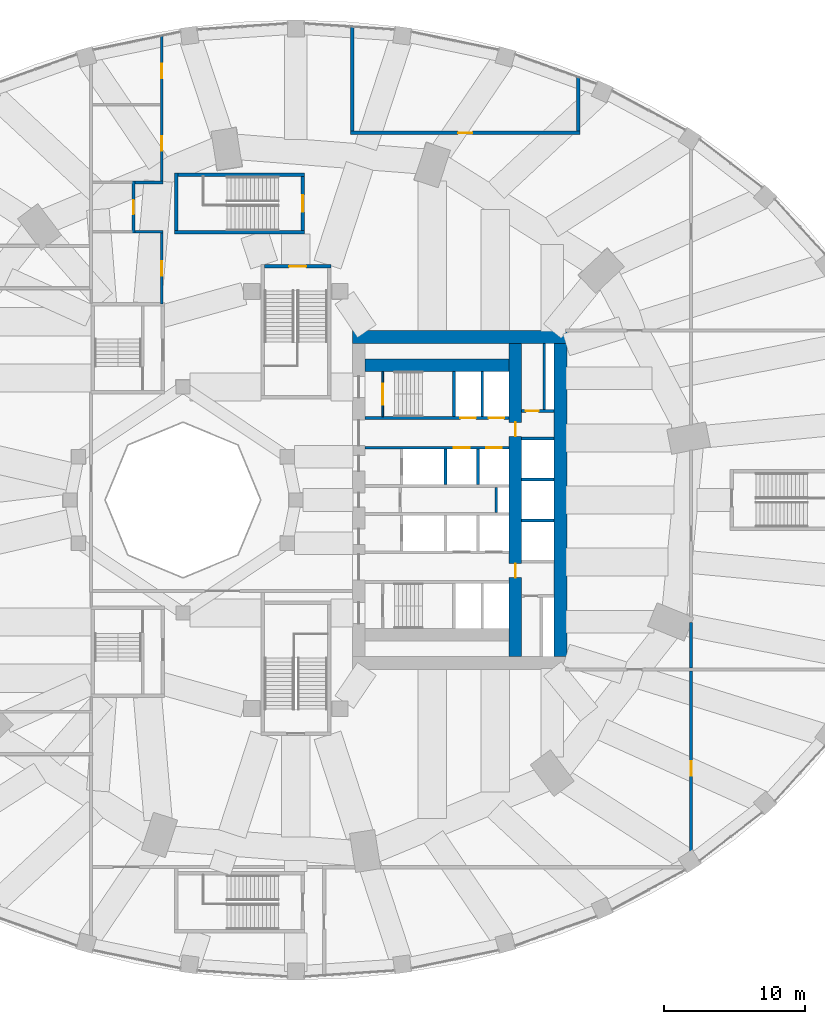
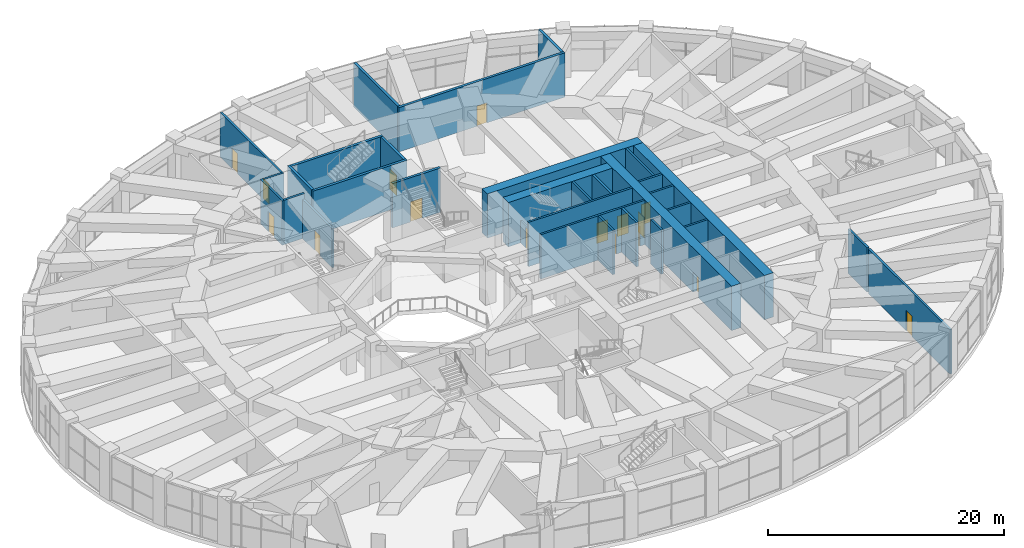
# One storey, part 24 of 32: 32 walls, 16 doors, 16 openings.
"""IFC4 building model written with IfcOpenShell, lengths in metres."""

from ifc_helpers import new_model, si_unit, direction, frame, frame_2d, origin, place, context, subcontext, project, spatial, rectangle, extrude, material, layer, layer_set, type_object, element, fill, save


model = new_model("IFC4")

# Units and contexts
model_context = context("Model", 3, precision=1e-05, world=origin(), true_north=direction((0.0, 1.0)))
body_context = subcontext(model_context, "Body", "Model", "MODEL_VIEW")
ifc_project = project(units=[si_unit("LENGTHUNIT", "METRE"), si_unit("AREAUNIT", "SQUARE_METRE"), si_unit("VOLUMEUNIT", "CUBIC_METRE"), si_unit("PLANEANGLEUNIT", "RADIAN"), si_unit("MASSUNIT", "GRAM", prefix="KILO")], contexts=[model_context])

# Site, building, storey
site_placement = place(None, origin())
site = spatial("IfcSite", under=ifc_project, at=site_placement, CompositionType="ELEMENT")
building_placement = place(site_placement, origin())
building = spatial("IfcBuilding", under=site, at=building_placement, Name="Taillehof Tower", CompositionType="ELEMENT")
storey_placement = place(building_placement, frame((0.0, 0.0, 7.5)))
storey = spatial("IfcBuildingStorey", under=building, at=storey_placement, Name="L01", CompositionType="ELEMENT", Elevation=7.5)

# Walls
ifc_material_1 = material(Name="Calcium silicate blockwork", Category="masonry")
ifc_layer_1 = layer(ifc_material_1, 0.199951171875)
ifc_layer_set_1 = layer_set([ifc_layer_1], Name="Compartment wall EI 60 200 mm")
wall_type_1 = type_object("IfcWallType", Name="Compartment wall EI 60 200 mm", PredefinedType="PARTITIONING", material=ifc_layer_set_1)
for number, where, z_axis, x_axis, name in (
    (1, (-11.39990234375, 19.0, 0.0), (0.0, 0.0, 1.0), (1.0, 0.0, 0.0), "Wall L01-06 / L01-27"),
    (2, (-11.39990234375, 22.5, 0.0), (0.0, 0.0, 1.0), (1.0, 0.0, 0.0), "Wall L01-08 / L01-27"),
):
    element("IfcWall", number, at=place(storey_placement, frame(where, z_axis=z_axis, x_axis=x_axis)), inside=storey, type_object=wall_type_1, Name=name, PredefinedType="PARTITIONING", context=body_context, shape_type="SweptSolid", body=[
        extrude(rectangle(XDim=2.0, YDim=0.199951171875, at=frame_2d((1.0, 0.0))), origin(), (0.0, 0.0, 1.0), 4.590087890625),
    ])

# Wall, opening, door
wall_1_placement = place(storey_placement, frame((-11.5, 18.89990234375, 0.0), z_axis=(0.0, 0.0, 1.0), x_axis=(0.0, 1.0, 0.0)))
wall_1 = element("IfcWall", 3, at=wall_1_placement, inside=storey, type_object=wall_type_1, Name="Wall L01-07 / L01-27", PredefinedType="PARTITIONING", context=body_context, shape_type="SweptSolid", body=[
    extrude(rectangle(XDim=3.7001953125, YDim=0.199951171875, at=frame_2d((1.85009765625, 0.0))), origin(), (0.0, 0.0, 1.0), 4.590087890625),
])
opening_1_placement = place(wall_1_placement, frame((1.35009765625, 0.0, 0.0)))
opening_1 = element("IfcOpeningElement", 4, at=opening_1_placement, cuts=wall_1, Name="Opening D0164", PredefinedType="OPENING", context=body_context, shape_type="SweptSolid", body=[
    extrude(rectangle(XDim=1.0, YDim=2.10009765625, at=frame_2d((0.5, 1.050048828125))), frame((0.0, 0.10986328125, 0.0), z_axis=(0.0, -1.0, 0.0), x_axis=(1.0, 0.0, 0.0)), (0.0, 0.0, 1.0), 0.219970703125),
])
ifc_material_2 = material(Name="Hollow metal door set")
door_type_1 = type_object("IfcDoorType", Name="Single door 1000 x 2100 FD60S", OperationType="SINGLE_SWING_LEFT", PredefinedType="DOOR", material=ifc_material_2)
door_1_placement = place(opening_1_placement, origin())
door_1 = element("IfcDoor", 5, at=door_1_placement, inside=storey, type_object=door_type_1, Name="Door D0164", OperationType="SINGLE_SWING_LEFT", OverallHeight=2.10009765625, OverallWidth=1.0, PredefinedType="DOOR", context=body_context, shape_type="SweptSolid", body=[
    extrude(rectangle(XDim=1.0, YDim=2.10009765625, at=frame_2d((0.5, 1.050048828125))), frame((0.0, 0.02490234375, 0.0), z_axis=(0.0, -1.0, 0.0), x_axis=(1.0, 0.0, 0.0)), (0.0, 0.0, 1.0), 0.050048828125),
])
fill(opening_1, door_1)

wall_2_placement = place(storey_placement, frame((-9.5, 13.89990234375, 0.0), z_axis=(0.0, 0.0, 1.0), x_axis=(0.0, 1.0, 0.0)))
wall_2 = element("IfcWall", 6, at=wall_2_placement, inside=storey, type_object=wall_type_1, Name="Wall L01-06 / L01-27", PredefinedType="PARTITIONING", context=body_context, shape_type="SweptSolid", body=[
    extrude(rectangle(XDim=5.0, YDim=0.199951171875, at=frame_2d((2.5, 0.0))), origin(), (0.0, 0.0, 1.0), 4.0400390625),
])
opening_2_placement = place(wall_2_placement, frame((2.0, 0.0, 0.0)))
opening_2 = element("IfcOpeningElement", 7, at=opening_2_placement, cuts=wall_2, Name="Opening D0159", PredefinedType="OPENING", context=body_context, shape_type="SweptSolid", body=[
    extrude(rectangle(XDim=1.0, YDim=2.10009765625, at=frame_2d((0.5, 1.050048828125))), frame((0.0, 0.10986328125, 0.0), z_axis=(0.0, -1.0, 0.0), x_axis=(1.0, 0.0, 0.0)), (0.0, 0.0, 1.0), 0.219970703125),
])
door_2_placement = place(opening_2_placement, origin())
door_2 = element("IfcDoor", 8, at=door_2_placement, inside=storey, type_object=door_type_1, Name="Door D0159", OperationType="SINGLE_SWING_RIGHT", OverallHeight=2.10009765625, OverallWidth=1.0, PredefinedType="DOOR", context=body_context, shape_type="SweptSolid", body=[
    extrude(rectangle(XDim=1.0, YDim=2.10009765625, at=frame_2d((0.5, 1.050048828125))), frame((0.0, 0.02490234375, 0.0), z_axis=(0.0, -1.0, 0.0), x_axis=(1.0, 0.0, 0.0)), (0.0, 0.0, 1.0), 0.050048828125),
])
fill(opening_2, door_2)

# Wall, openings, doors
wall_3_placement = place(storey_placement, frame((-9.5, 22.60009765625, 0.0), z_axis=(0.0, 0.0, 1.0), x_axis=(0.0, 1.0, 0.0)))
wall_3 = element("IfcWall", 9, at=wall_3_placement, inside=storey, type_object=wall_type_1, Name="Wall L01-08 / L01-27", PredefinedType="PARTITIONING", context=body_context, shape_type="SweptSolid", body=[
    extrude(rectangle(XDim=10.280517578125, YDim=0.199951171875, at=frame_2d((5.14013671875, 0.0))), origin(), (0.0, 0.0, 1.0), 4.590087890625),
])
opening_3_placement = place(wall_3_placement, frame((2.14990234375, 0.0, 0.0)))
opening_3 = element("IfcOpeningElement", 10, at=opening_3_placement, cuts=wall_3, Name="Opening D0166", PredefinedType="OPENING", context=body_context, shape_type="SweptSolid", body=[
    extrude(rectangle(XDim=1.0, YDim=2.10009765625, at=frame_2d((0.5, 1.050048828125))), frame((0.0, 0.10986328125, 0.0), z_axis=(0.0, -1.0, 0.0), x_axis=(1.0, 0.0, 0.0)), (0.0, 0.0, 1.0), 0.219970703125),
])
opening_4_placement = place(wall_3_placement, frame((7.2900390625, 0.0, 0.0)))
opening_4 = element("IfcOpeningElement", 11, at=opening_4_placement, cuts=wall_3, Name="Opening D0168", PredefinedType="OPENING", context=body_context, shape_type="SweptSolid", body=[
    extrude(rectangle(XDim=1.0, YDim=2.10009765625, at=frame_2d((0.5, 1.050048828125))), frame((0.0, 0.10986328125, 0.0), z_axis=(0.0, -1.0, 0.0), x_axis=(1.0, 0.0, 0.0)), (0.0, 0.0, 1.0), 0.219970703125),
])
door_3_placement = place(opening_3_placement, origin())
door_3 = element("IfcDoor", 12, at=door_3_placement, inside=storey, type_object=door_type_1, Name="Door D0166", OperationType="SINGLE_SWING_LEFT", OverallHeight=2.10009765625, OverallWidth=1.0, PredefinedType="DOOR", context=body_context, shape_type="SweptSolid", body=[
    extrude(rectangle(XDim=1.0, YDim=2.10009765625, at=frame_2d((0.5, 1.050048828125))), frame((0.0, 0.02490234375, 0.0), z_axis=(0.0, -1.0, 0.0), x_axis=(1.0, 0.0, 0.0)), (0.0, 0.0, 1.0), 0.050048828125),
])
fill(opening_3, door_3)
door_4_placement = place(opening_4_placement, origin())
door_4 = element("IfcDoor", 13, at=door_4_placement, inside=storey, type_object=door_type_1, Name="Door D0168", OperationType="SINGLE_SWING_LEFT", OverallHeight=2.10009765625, OverallWidth=1.0, PredefinedType="DOOR", context=body_context, shape_type="SweptSolid", body=[
    extrude(rectangle(XDim=1.0, YDim=2.10009765625, at=frame_2d((0.5, 1.050048828125))), frame((0.0, 0.02490234375, 0.0), z_axis=(0.0, -1.0, 0.0), x_axis=(1.0, 0.0, 0.0)), (0.0, 0.0, 1.0), 0.050048828125),
])
fill(opening_4, door_4)

# Wall, opening, door
wall_4_placement = place(storey_placement, frame((28.0, -25.931884765625, 0.0), z_axis=(0.0, 0.0, 1.0), x_axis=(0.0, 1.0, 0.0)))
wall_4 = element("IfcWall", 14, at=wall_4_placement, inside=storey, type_object=wall_type_1, Name="Wall L01-13 / L01-17", PredefinedType="PARTITIONING", context=body_context, shape_type="SweptSolid", body=[
    extrude(rectangle(XDim=13.831787109375, YDim=0.199951171875, at=frame_2d((6.916015625, 0.0))), origin(), (0.0, 0.0, 1.0), 4.590087890625),
])
opening_5_placement = place(wall_4_placement, frame((6.415771484375, 0.0, 0.0)))
opening_5 = element("IfcOpeningElement", 15, at=opening_5_placement, cuts=wall_4, Name="Opening D0144", PredefinedType="OPENING", context=body_context, shape_type="SweptSolid", body=[
    extrude(rectangle(XDim=1.0, YDim=2.10009765625, at=frame_2d((0.5, 1.050048828125))), frame((0.0, 0.10986328125, 0.0), z_axis=(0.0, -1.0, 0.0), x_axis=(1.0, 0.0, 0.0)), (0.0, 0.0, 1.0), 0.219970703125),
])
door_5_placement = place(opening_5_placement, origin())
door_5 = element("IfcDoor", 16, at=door_5_placement, inside=storey, type_object=door_type_1, Name="Door D0144", OperationType="SINGLE_SWING_RIGHT", OverallHeight=2.10009765625, OverallWidth=1.0, PredefinedType="DOOR", context=body_context, shape_type="SweptSolid", body=[
    extrude(rectangle(XDim=1.0, YDim=2.10009765625, at=frame_2d((0.5, 1.050048828125))), frame((0.0, 0.02490234375, 0.0), z_axis=(0.0, -1.0, 0.0), x_axis=(1.0, 0.0, 0.0)), (0.0, 0.0, 1.0), 0.050048828125),
])
fill(opening_5, door_5)

# Walls
wall_5_placement = place(storey_placement, frame((28.0, -11.89990234375, 0.0), z_axis=(0.0, 0.0, 1.0), x_axis=(0.0, 1.0, 0.0)))
element("IfcWall", 17, at=wall_5_placement, inside=storey, type_object=wall_type_1, Name="Wall L01-10 / L01-11", PredefinedType="PARTITIONING", context=body_context, shape_type="SweptSolid", body=[
    extrude(rectangle(XDim=3.222900390625, YDim=0.199951171875, at=frame_2d((1.611328125, 0.0))), origin(), (0.0, 0.0, 1.0), 4.590087890625),
])
ifc_material_3 = material(Name="Calcium silicate masonry", Category="masonry")
ifc_layer_2 = layer(ifc_material_3, 0.199951171875)
ifc_layer_set_2 = layer_set([ifc_layer_2], Name="Compartment wall calcium silicate 200")
wall_type_2 = type_object("IfcWallType", Name="Compartment wall calcium silicate 200", PredefinedType="PARTITIONING", material=ifc_layer_set_2)
wall_6_placement = place(storey_placement, frame((14.199951171875, -0.89990234375, 0.0), z_axis=(0.0, 0.0, 1.0), x_axis=(0.0, 1.0, 0.0)))
element("IfcWall", 18, at=wall_6_placement, inside=storey, type_object=wall_type_2, Name="Compartment wall FW", PredefinedType="PARTITIONING", context=body_context, shape_type="SweptSolid", body=[
    extrude(rectangle(XDim=1.7998046875, YDim=0.199951171875, at=frame_2d((0.89990234375, 0.0))), origin(), (0.0, 0.0, 1.0), 4.590087890625),
])

# Wall, opening, door
wall_7_placement = place(storey_placement, frame((16.0, 6.300048828125, 0.0), z_axis=(0.0, 0.0, 1.0), x_axis=(1.0, 0.0, 0.0)))
wall_7 = element("IfcWall", 19, at=wall_7_placement, inside=storey, type_object=wall_type_2, Name="Compartment wall FW", PredefinedType="PARTITIONING", context=body_context, shape_type="SweptSolid", body=[
    extrude(rectangle(XDim=2.300048828125, YDim=0.199951171875, at=frame_2d((1.14990234375, 0.0))), origin(), (0.0, 0.0, 1.0), 4.590087890625),
])
opening_6_placement = place(wall_7_placement, frame((0.300048828125, 0.0, 0.0)))
opening_6 = element("IfcOpeningElement", 20, at=opening_6_placement, cuts=wall_7, Name="Opening D0114", PredefinedType="OPENING", context=body_context, shape_type="SweptSolid", body=[
    extrude(rectangle(XDim=0.89990234375, YDim=2.10009765625, at=frame_2d((0.449951171875, 1.050048828125))), frame((0.0, 0.10986328125, 0.0), z_axis=(0.0, -1.0, 0.0), x_axis=(1.0, 0.0, 0.0)), (0.0, 0.0, 1.0), 0.219970703125),
])
ifc_material_4 = material(Name="Steel-faced fire door", Category="steel")
door_type_2 = type_object("IfcDoorType", Name="Riser and service room door 900x2100", OperationType="SINGLE_SWING_LEFT", PredefinedType="DOOR", material=ifc_material_4)
door_6_placement = place(opening_6_placement, origin())
door_6 = element("IfcDoor", 21, at=door_6_placement, inside=storey, type_object=door_type_2, Name="Door Battery Room", OperationType="SINGLE_SWING_RIGHT", OverallHeight=2.10009765625, OverallWidth=0.89990234375, PredefinedType="DOOR", context=body_context, shape_type="SweptSolid", body=[
    extrude(rectangle(XDim=0.89990234375, YDim=2.10009765625, at=frame_2d((0.449951171875, 1.050048828125))), frame((0.0, 0.02490234375, 0.0), z_axis=(0.0, -1.0, 0.0), x_axis=(1.0, 0.0, 0.0)), (0.0, 0.0, 1.0), 0.050048828125),
])
fill(opening_6, door_6)

# Walls
wall_8_placement = place(storey_placement, frame((17.60009765625, 6.39990234375, 0.0), z_axis=(0.0, 0.0, 1.0), x_axis=(0.0, 1.0, 0.0)))
element("IfcWall", 22, at=wall_8_placement, inside=storey, type_object=wall_type_2, Name="Compartment wall FW", PredefinedType="PARTITIONING", context=body_context, shape_type="SweptSolid", body=[
    extrude(rectangle(XDim=4.7001953125, YDim=0.199951171875, at=frame_2d((2.35009765625, 0.0))), origin(), (0.0, 0.0, 1.0), 4.590087890625),
])
ifc_material_5 = material(Name="Concrete C80/95", Category="concrete")
ifc_layer_3 = layer(ifc_material_5, 0.89990234375)
ifc_layer_set_3 = layer_set([ifc_layer_3], Name="Core wall C80/95 900")
wall_type_3 = type_object("IfcWallType", Name="Core wall C80/95 900", PredefinedType="SHEAR", material=ifc_layer_set_3)
wall_9_placement = place(storey_placement, frame((18.75, -11.10009765625, 0.0), z_axis=(0.0, 0.0, 1.0), x_axis=(0.0, 1.0, 0.0)))
element("IfcWall", 23, at=wall_9_placement, inside=storey, type_object=wall_type_3, Name="Core wall CW02", PredefinedType="SHEAR", context=body_context, shape_type="SweptSolid", body=[
    extrude(rectangle(XDim=22.2001953125, YDim=0.89990234375, at=frame_2d((11.10009765625, 0.0))), origin(), (0.0, 0.0, 1.0), 4.590087890625),
])
wall_10_placement = place(storey_placement, frame((4.0, 11.550048828125, 0.0), z_axis=(0.0, 0.0, 1.0), x_axis=(1.0, 0.0, 0.0)))
element("IfcWall", 24, at=wall_10_placement, inside=storey, type_object=wall_type_3, Name="Core wall CW03", PredefinedType="SHEAR", context=body_context, shape_type="SweptSolid", body=[
    extrude(rectangle(XDim=15.199951171875, YDim=0.89990234375, at=frame_2d((7.60009765625, 0.0))), origin(), (0.0, 0.0, 1.0), 4.590087890625),
])

# Wall, openings, doors
wall_11_placement = place(storey_placement, frame((15.550048828125, -11.10009765625, 0.0), z_axis=(0.0, 0.0, 1.0), x_axis=(0.0, 1.0, 0.0)))
wall_11 = element("IfcWall", 25, at=wall_11_placement, inside=storey, type_object=wall_type_3, Name="Core wall CW05", PredefinedType="SHEAR", context=body_context, shape_type="SweptSolid", body=[
    extrude(rectangle(XDim=22.2001953125, YDim=0.89990234375, at=frame_2d((11.10009765625, 0.0))), origin(), (0.0, 0.0, 1.0), 4.590087890625),
])
opening_7_placement = place(wall_11_placement, frame((15.60009765625, 0.0, 0.0)))
opening_7 = element("IfcOpeningElement", 26, at=opening_7_placement, cuts=wall_11, Name="Opening D0113", PredefinedType="OPENING", context=body_context, shape_type="SweptSolid", body=[
    extrude(rectangle(XDim=1.0, YDim=2.10009765625, at=frame_2d((0.5, 1.050048828125))), frame((0.0, 0.4599609375, 0.0), z_axis=(0.0, -1.0, 0.0), x_axis=(1.0, 0.0, 0.0)), (0.0, 0.0, 1.0), 0.919921875),
])
opening_8_placement = place(wall_11_placement, frame((5.60009765625, 0.0, 0.0)))
opening_8 = element("IfcOpeningElement", 27, at=opening_8_placement, cuts=wall_11, Name="Opening D0115", PredefinedType="OPENING", context=body_context, shape_type="SweptSolid", body=[
    extrude(rectangle(XDim=1.0, YDim=2.10009765625, at=frame_2d((0.5, 1.050048828125))), frame((0.0, 0.4599609375, 0.0), z_axis=(0.0, -1.0, 0.0), x_axis=(1.0, 0.0, 0.0)), (0.0, 0.0, 1.0), 0.919921875),
])
ifc_material_6 = material(Name="Steel-faced fire door", Category="steel")
door_type_3 = type_object("IfcDoorType", Name="Service door 1000x2100", OperationType="SINGLE_SWING_RIGHT", PredefinedType="DOOR", material=ifc_material_6)
door_7_placement = place(opening_7_placement, origin())
door_7 = element("IfcDoor", 28, at=door_7_placement, inside=storey, type_object=door_type_3, Name="Service door strip", OperationType="SINGLE_SWING_RIGHT", OverallHeight=2.10009765625, OverallWidth=1.0, PredefinedType="DOOR", context=body_context, shape_type="SweptSolid", body=[
    extrude(rectangle(XDim=1.0, YDim=2.10009765625, at=frame_2d((0.5, 1.050048828125))), frame((0.0, 0.02490234375, 0.0), z_axis=(0.0, -1.0, 0.0), x_axis=(1.0, 0.0, 0.0)), (0.0, 0.0, 1.0), 0.050048828125),
])
fill(opening_7, door_7)
door_8_placement = place(opening_8_placement, origin())
door_8 = element("IfcDoor", 29, at=door_8_placement, inside=storey, type_object=door_type_3, Name="Service door strip", OperationType="SINGLE_SWING_LEFT", OverallHeight=2.10009765625, OverallWidth=1.0, PredefinedType="DOOR", context=body_context, shape_type="SweptSolid", body=[
    extrude(rectangle(XDim=1.0, YDim=2.10009765625, at=frame_2d((0.5, 1.050048828125))), frame((0.0, 0.02490234375, 0.0), z_axis=(0.0, -1.0, 0.0), x_axis=(1.0, 0.0, 0.0)), (0.0, 0.0, 1.0), 0.050048828125),
])
fill(opening_8, door_8)

# Wall
wall_12_placement = place(storey_placement, frame((4.89990234375, 9.550048828125, 0.0), z_axis=(0.0, 0.0, 1.0), x_axis=(1.0, 0.0, 0.0)))
element("IfcWall", 30, at=wall_12_placement, inside=storey, type_object=wall_type_3, Name="Core wall CW06", PredefinedType="SHEAR", context=body_context, shape_type="SweptSolid", body=[
    extrude(rectangle(XDim=10.2001953125, YDim=0.89990234375, at=frame_2d((5.10009765625, 0.0))), origin(), (0.0, 0.0, 1.0), 4.590087890625),
])

# Wall, opening, door
ifc_material_7 = material(Name="Calcium silicate blockwork", Category="masonry")
ifc_layer_4 = layer(ifc_material_7, 0.25)
ifc_layer_set_4 = layer_set([ifc_layer_4], Name="Fire-resisting wall EI 120 250 mm")
wall_type_4 = type_object("IfcWallType", Name="Fire-resisting wall EI 120 250 mm", PredefinedType="PARTITIONING", material=ifc_layer_set_4)
wall_13_placement = place(storey_placement, frame((3.875, 26.0, 0.0), z_axis=(0.0, 0.0, 1.0), x_axis=(1.0, 0.0, 0.0)))
wall_13 = element("IfcWall", 31, at=wall_13_placement, inside=storey, type_object=wall_type_4, Name="Wall L01-14 / L01-27", PredefinedType="PARTITIONING", context=body_context, shape_type="SweptSolid", body=[
    extrude(rectangle(XDim=16.25, YDim=0.25, at=frame_2d((8.125, 0.0))), origin(), (0.0, 0.0, 1.0), 4.590087890625),
])
opening_9_placement = place(wall_13_placement, frame((7.625, 0.0, 0.0)))
opening_9 = element("IfcOpeningElement", 32, at=opening_9_placement, cuts=wall_13, Name="Opening D0167", PredefinedType="OPENING", context=body_context, shape_type="SweptSolid", body=[
    extrude(rectangle(XDim=1.0, YDim=2.10009765625, at=frame_2d((0.5, 1.050048828125))), frame((0.0, 0.135009765625, 0.0), z_axis=(0.0, -1.0, 0.0), x_axis=(1.0, 0.0, 0.0)), (0.0, 0.0, 1.0), 0.27001953125),
])
ifc_material_8 = material(Name="Hollow metal door set")
door_type_4 = type_object("IfcDoorType", Name="Single door 1000 x 2100 FD120S", OperationType="SINGLE_SWING_LEFT", PredefinedType="DOOR", material=ifc_material_8)
door_9_placement = place(opening_9_placement, origin())
door_9 = element("IfcDoor", 33, at=door_9_placement, inside=storey, type_object=door_type_4, Name="Door D0167", OperationType="SINGLE_SWING_LEFT", OverallHeight=2.10009765625, OverallWidth=1.0, PredefinedType="DOOR", context=body_context, shape_type="SweptSolid", body=[
    extrude(rectangle(XDim=1.0, YDim=2.10009765625, at=frame_2d((0.5, 1.050048828125))), frame((0.0, 0.02490234375, 0.0), z_axis=(0.0, -1.0, 0.0), x_axis=(1.0, 0.0, 0.0)), (0.0, 0.0, 1.0), 0.050048828125),
])
fill(opening_9, door_9)

# Walls
wall_14_placement = place(storey_placement, frame((4.0, 26.125, 0.0), z_axis=(0.0, 0.0, 1.0), x_axis=(0.0, 1.0, 0.0)))
element("IfcWall", 34, at=wall_14_placement, inside=storey, type_object=wall_type_4, Name="Wall L01-14 / L01-27", PredefinedType="PARTITIONING", context=body_context, shape_type="SweptSolid", body=[
    extrude(rectangle(XDim=7.442138671875, YDim=0.25, at=frame_2d((3.72119140625, 0.0))), origin(), (0.0, 0.0, 1.0), 4.590087890625),
])
wall_15_placement = place(storey_placement, frame((20.0, 26.125, 0.0), z_axis=(0.0, 0.0, 1.0), x_axis=(0.0, 1.0, 0.0)))
element("IfcWall", 35, at=wall_15_placement, inside=storey, type_object=wall_type_4, Name="Wall L01-14 / L01-27", PredefinedType="PARTITIONING", context=body_context, shape_type="SweptSolid", body=[
    extrude(rectangle(XDim=3.855712890625, YDim=0.25, at=frame_2d((1.927734375, 0.0))), origin(), (0.0, 0.0, 1.0), 4.590087890625),
])

# Wall, openings, doors
ifc_material_9 = material(Name="Concrete C50/60", Category="concrete")
ifc_layer_5 = layer(ifc_material_9, 0.199951171875)
ifc_layer_set_5 = layer_set([ifc_layer_5], Name="Shaft wall C50/60 200")
wall_type_5 = type_object("IfcWallType", Name="Shaft wall C50/60 200", PredefinedType="SHEAR", material=ifc_layer_set_5)
wall_16_placement = place(storey_placement, frame((4.89990234375, 5.800048828125, 0.0), z_axis=(0.0, 0.0, 1.0), x_axis=(1.0, 0.0, 0.0)))
wall_16 = element("IfcWall", 36, at=wall_16_placement, inside=storey, type_object=wall_type_5, Name="Shaft wall SW", PredefinedType="SHEAR", context=body_context, shape_type="SweptSolid", body=[
    extrude(rectangle(XDim=10.2001953125, YDim=0.199951171875, at=frame_2d((5.10009765625, 0.0))), origin(), (0.0, 0.0, 1.0), 4.590087890625),
])
opening_10_placement = place(wall_16_placement, frame((6.75, 0.0, 0.0)))
opening_10 = element("IfcOpeningElement", 37, at=opening_10_placement, cuts=wall_16, Name="Opening LD1", PredefinedType="OPENING", context=body_context, shape_type="SweptSolid", body=[
    extrude(rectangle(XDim=1.10009765625, YDim=2.10009765625, at=frame_2d((0.550048828125, 1.050048828125))), frame((0.0, 0.10986328125, 0.0), z_axis=(0.0, -1.0, 0.0), x_axis=(1.0, 0.0, 0.0)), (0.0, 0.0, 1.0), 0.219970703125),
])
opening_11_placement = place(wall_16_placement, frame((8.75, 0.0, 0.0)))
opening_11 = element("IfcOpeningElement", 38, at=opening_11_placement, cuts=wall_16, Name="Opening LD1", PredefinedType="OPENING", context=body_context, shape_type="SweptSolid", body=[
    extrude(rectangle(XDim=1.10009765625, YDim=2.10009765625, at=frame_2d((0.550048828125, 1.050048828125))), frame((0.0, 0.10986328125, 0.0), z_axis=(0.0, -1.0, 0.0), x_axis=(1.0, 0.0, 0.0)), (0.0, 0.0, 1.0), 0.219970703125),
])
ifc_material_10 = material(Name="Stainless steel", Category="steel")
door_type_5 = type_object("IfcDoorType", Name="Lift landing door LD1 1100x2100", OperationType="DOUBLE_DOOR_SLIDING", PredefinedType="DOOR", material=ifc_material_10)
door_10_placement = place(opening_10_placement, origin())
door_10 = element("IfcDoor", 39, at=door_10_placement, inside=storey, type_object=door_type_5, Name="Landing door LR1", OperationType="DOUBLE_DOOR_SLIDING", OverallHeight=2.10009765625, OverallWidth=1.10009765625, PredefinedType="DOOR", context=body_context, shape_type="SweptSolid", body=[
    extrude(rectangle(XDim=1.10009765625, YDim=2.10009765625, at=frame_2d((0.550048828125, 1.050048828125))), frame((0.0, 0.02490234375, 0.0), z_axis=(0.0, -1.0, 0.0), x_axis=(1.0, 0.0, 0.0)), (0.0, 0.0, 1.0), 0.050048828125),
])
fill(opening_10, door_10)
door_11_placement = place(opening_11_placement, origin())
door_11 = element("IfcDoor", 40, at=door_11_placement, inside=storey, type_object=door_type_5, Name="Landing door LR2", OperationType="DOUBLE_DOOR_SLIDING", OverallHeight=2.10009765625, OverallWidth=1.10009765625, PredefinedType="DOOR", context=body_context, shape_type="SweptSolid", body=[
    extrude(rectangle(XDim=1.10009765625, YDim=2.10009765625, at=frame_2d((0.550048828125, 1.050048828125))), frame((0.0, 0.02490234375, 0.0), z_axis=(0.0, -1.0, 0.0), x_axis=(1.0, 0.0, 0.0)), (0.0, 0.0, 1.0), 0.050048828125),
])
fill(opening_11, door_11)

wall_17_placement = place(storey_placement, frame((4.89990234375, 3.699951171875, 0.0), z_axis=(0.0, 0.0, 1.0), x_axis=(1.0, 0.0, 0.0)))
wall_17 = element("IfcWall", 41, at=wall_17_placement, inside=storey, type_object=wall_type_5, Name="Shaft wall SW", PredefinedType="SHEAR", context=body_context, shape_type="SweptSolid", body=[
    extrude(rectangle(XDim=10.2001953125, YDim=0.199951171875, at=frame_2d((5.10009765625, 0.0))), origin(), (0.0, 0.0, 1.0), 4.590087890625),
])
opening_12_placement = place(wall_17_placement, frame((6.300048828125, 0.0, 0.0)))
opening_12 = element("IfcOpeningElement", 42, at=opening_12_placement, cuts=wall_17, Name="Opening LD1", PredefinedType="OPENING", context=body_context, shape_type="SweptSolid", body=[
    extrude(rectangle(XDim=1.10009765625, YDim=2.10009765625, at=frame_2d((0.550048828125, 1.050048828125))), frame((0.0, 0.10986328125, 0.0), z_axis=(0.0, -1.0, 0.0), x_axis=(1.0, 0.0, 0.0)), (0.0, 0.0, 1.0), 0.219970703125),
])
opening_13_placement = place(wall_17_placement, frame((8.60009765625, 0.0, 0.0)))
opening_13 = element("IfcOpeningElement", 43, at=opening_13_placement, cuts=wall_17, Name="Opening LD1", PredefinedType="OPENING", context=body_context, shape_type="SweptSolid", body=[
    extrude(rectangle(XDim=1.10009765625, YDim=2.10009765625, at=frame_2d((0.550048828125, 1.050048828125))), frame((0.0, 0.10986328125, 0.0), z_axis=(0.0, -1.0, 0.0), x_axis=(1.0, 0.0, 0.0)), (0.0, 0.0, 1.0), 0.219970703125),
])
door_12_placement = place(opening_12_placement, origin())
door_12 = element("IfcDoor", 44, at=door_12_placement, inside=storey, type_object=door_type_5, Name="Landing door LR3", OperationType="DOUBLE_DOOR_SLIDING", OverallHeight=2.10009765625, OverallWidth=1.10009765625, PredefinedType="DOOR", context=body_context, shape_type="SweptSolid", body=[
    extrude(rectangle(XDim=1.10009765625, YDim=2.10009765625, at=frame_2d((0.550048828125, 1.050048828125))), frame((0.0, 0.02490234375, 0.0), z_axis=(0.0, -1.0, 0.0), x_axis=(1.0, 0.0, 0.0)), (0.0, 0.0, 1.0), 0.050048828125),
])
fill(opening_12, door_12)
door_13_placement = place(opening_13_placement, origin())
door_13 = element("IfcDoor", 45, at=door_13_placement, inside=storey, type_object=door_type_5, Name="Landing door LR4", OperationType="DOUBLE_DOOR_SLIDING", OverallHeight=2.10009765625, OverallWidth=1.10009765625, PredefinedType="DOOR", context=body_context, shape_type="SweptSolid", body=[
    extrude(rectangle(XDim=1.10009765625, YDim=2.10009765625, at=frame_2d((0.550048828125, 1.050048828125))), frame((0.0, 0.02490234375, 0.0), z_axis=(0.0, -1.0, 0.0), x_axis=(1.0, 0.0, 0.0)), (0.0, 0.0, 1.0), 0.050048828125),
])
fill(opening_13, door_13)

# Walls
for number, where, z_axis, x_axis, name in (
    (46, (11.199951171875, 5.89990234375, 0.0), (0.0, 0.0, 1.0), (0.0, 1.0, 0.0), "Shaft wall SW"),
    (47, (13.199951171875, 5.89990234375, 0.0), (0.0, 0.0, 1.0), (0.0, 1.0, 0.0), "Shaft wall SW"),
):
    element("IfcWall", number, at=place(storey_placement, frame(where, z_axis=z_axis, x_axis=x_axis)), inside=storey, type_object=wall_type_5, Name=name, PredefinedType="SHEAR", context=body_context, shape_type="SweptSolid", body=[
        extrude(rectangle(XDim=3.2001953125, YDim=0.199951171875, at=frame_2d((1.60009765625, 0.0))), origin(), (0.0, 0.0, 1.0), 4.590087890625),
    ])
for number, where, z_axis, x_axis, name in (
    (48, (10.60009765625, 1.10009765625, 0.0), (0.0, 0.0, 1.0), (0.0, 1.0, 0.0), "Shaft wall SW"),
    (49, (12.89990234375, 1.10009765625, 0.0), (0.0, 0.0, 1.0), (0.0, 1.0, 0.0), "Shaft wall SW"),
):
    element("IfcWall", number, at=place(storey_placement, frame(where, z_axis=z_axis, x_axis=x_axis)), inside=storey, type_object=wall_type_5, Name=name, PredefinedType="SHEAR", context=body_context, shape_type="SweptSolid", body=[
        extrude(rectangle(XDim=2.5, YDim=0.199951171875, at=frame_2d((1.25, 0.0))), origin(), (0.0, 0.0, 1.0), 4.590087890625),
    ])
for number, where, z_axis, x_axis, name in (
    (50, (16.0, -1.449951171875, 0.0), (0.0, 0.0, 1.0), (1.0, 0.0, 0.0), "Shaft wall SW"),
    (51, (16.0, 1.449951171875, 0.0), (0.0, 0.0, 1.0), (1.0, 0.0, 0.0), "Shaft wall SW"),
    (52, (16.0, 4.35009765625, 0.0), (0.0, 0.0, 1.0), (1.0, 0.0, 0.0), "Shaft wall SW"),
):
    element("IfcWall", number, at=place(storey_placement, frame(where, z_axis=z_axis, x_axis=x_axis)), inside=storey, type_object=wall_type_5, Name=name, PredefinedType="SHEAR", context=body_context, shape_type="SweptSolid", body=[
        extrude(rectangle(XDim=2.300048828125, YDim=0.199951171875, at=frame_2d((1.14990234375, 0.0))), origin(), (0.0, 0.0, 1.0), 4.590087890625),
    ])

# Wall, opening, door
ifc_material_11 = material(Name="Concrete C50/60", Category="concrete")
ifc_layer_6 = layer(ifc_material_11, 0.1201171875)
ifc_layer_set_6 = layer_set([ifc_layer_6], Name="Stair lobby wall C50/60 120")
wall_type_6 = type_object("IfcWallType", Name="Stair lobby wall C50/60 120", PredefinedType="SHEAR", material=ifc_layer_set_6)
wall_18_placement = place(storey_placement, frame((6.159912109375, 5.89990234375, 0.0), z_axis=(0.0, 0.0, 1.0), x_axis=(0.0, 1.0, 0.0)))
wall_18 = element("IfcWall", 53, at=wall_18_placement, inside=storey, type_object=wall_type_6, Name="Compartment wall SW", PredefinedType="SHEAR", context=body_context, shape_type="SweptSolid", body=[
    extrude(rectangle(XDim=3.2001953125, YDim=0.1201171875, at=frame_2d((1.60009765625, 0.0))), origin(), (0.0, 0.0, 1.0), 2.2900390625),
])
opening_14_placement = place(wall_18_placement, frame((0.85009765625, 0.0, 0.0)))
opening_14 = element("IfcOpeningElement", 54, at=opening_14_placement, cuts=wall_18, Name="Opening D0108", PredefinedType="OPENING", context=body_context, shape_type="SweptSolid", body=[
    extrude(rectangle(XDim=1.5, YDim=2.10009765625, at=frame_2d((0.75, 1.050048828125))), frame((0.0, 0.070068359375, 0.0), z_axis=(0.0, -1.0, 0.0), x_axis=(1.0, 0.0, 0.0)), (0.0, 0.0, 1.0), 0.14013671875),
])
ifc_material_12 = material(Name="Steel-faced fire door", Category="steel")
door_type_6 = type_object("IfcDoorType", Name="Stair door 1500x2100", OperationType="DOUBLE_DOOR_SINGLE_SWING", PredefinedType="DOOR", material=ifc_material_12)
door_14_placement = place(opening_14_placement, origin())
door_14 = element("IfcDoor", 55, at=door_14_placement, inside=storey, type_object=door_type_6, Name="Stair lobby door S1", OperationType="DOUBLE_DOOR_SINGLE_SWING", OverallHeight=2.10009765625, OverallWidth=1.5, PredefinedType="DOOR", context=body_context, shape_type="SweptSolid", body=[
    extrude(rectangle(XDim=1.5, YDim=2.10009765625, at=frame_2d((0.75, 1.050048828125))), frame((0.0, 0.02490234375, 0.0), z_axis=(0.0, -1.0, 0.0), x_axis=(1.0, 0.0, 0.0)), (0.0, 0.0, 1.0), 0.050048828125),
])
fill(opening_14, door_14)

ifc_material_13 = material(Name="Concrete C40/50", Category="concrete")
ifc_layer_7 = layer(ifc_material_13, 0.25)
ifc_layer_set_7 = layer_set([ifc_layer_7], Name="Stair wall EI 120 250 mm")
wall_type_7 = type_object("IfcWallType", Name="Stair wall EI 120 250 mm", PredefinedType="SOLIDWALL", material=ifc_layer_set_7)
wall_19_placement = place(storey_placement, frame((-2.22509765625, 16.544921875, 0.0), z_axis=(0.0, 0.0, 1.0), x_axis=(1.0, 0.0, 0.0)))
wall_19 = element("IfcWall", 56, at=wall_19_placement, inside=storey, type_object=wall_type_7, Name="Wall L01-01 / L01-27", PredefinedType="SOLIDWALL", context=body_context, shape_type="SweptSolid", body=[
    extrude(rectangle(XDim=4.7001953125, YDim=0.25, at=frame_2d((2.35009765625, 0.0))), origin(), (0.0, 0.0, 1.0), 4.590087890625),
])
opening_15_placement = place(wall_19_placement, frame((1.75, 0.0, 0.0)))
opening_15 = element("IfcOpeningElement", 57, at=opening_15_placement, cuts=wall_19, Name="Opening D0160", PredefinedType="OPENING", context=body_context, shape_type="SweptSolid", body=[
    extrude(rectangle(XDim=1.199951171875, YDim=2.10009765625, at=frame_2d((0.60009765625, 1.050048828125))), frame((0.0, 0.135009765625, 0.0), z_axis=(0.0, -1.0, 0.0), x_axis=(1.0, 0.0, 0.0)), (0.0, 0.0, 1.0), 0.27001953125),
])
ifc_material_14 = material(Name="Hollow metal door set")
door_type_7 = type_object("IfcDoorType", Name="Single door 1200 x 2100 FD120S", OperationType="SINGLE_SWING_LEFT", PredefinedType="DOOR", material=ifc_material_14)
door_15_placement = place(opening_15_placement, origin())
door_15 = element("IfcDoor", 58, at=door_15_placement, inside=storey, type_object=door_type_7, Name="Door D0160", OperationType="SINGLE_SWING_LEFT", OverallHeight=2.10009765625, OverallWidth=1.199951171875, PredefinedType="DOOR", context=body_context, shape_type="SweptSolid", body=[
    extrude(rectangle(XDim=1.199951171875, YDim=2.10009765625, at=frame_2d((0.60009765625, 1.050048828125))), frame((0.0, 0.02490234375, 0.0), z_axis=(0.0, -1.0, 0.0), x_axis=(1.0, 0.0, 0.0)), (0.0, 0.0, 1.0), 0.050048828125),
])
fill(opening_15, door_15)

# Walls
wall_20_placement = place(storey_placement, frame((-8.610107421875, 18.949951171875, 0.0), z_axis=(0.0, 0.0, 1.0), x_axis=(1.0, 0.0, 0.0)))
element("IfcWall", 59, at=wall_20_placement, inside=storey, type_object=wall_type_7, Name="Wall L01-03 / L01-27", PredefinedType="SOLIDWALL", context=body_context, shape_type="SweptSolid", body=[
    extrude(rectangle(XDim=9.22021484375, YDim=0.25, at=frame_2d((4.610107421875, 0.0))), origin(), (0.0, 0.0, 1.0), 4.590087890625),
])
wall_21_placement = place(storey_placement, frame((-8.360107421875, 23.050048828125, 0.0), z_axis=(0.0, 0.0, 1.0), x_axis=(1.0, 0.0, 0.0)))
element("IfcWall", 60, at=wall_21_placement, inside=storey, type_object=wall_type_7, Name="Wall L01-03 / L01-27", PredefinedType="SOLIDWALL", context=body_context, shape_type="SweptSolid", body=[
    extrude(rectangle(XDim=8.97021484375, YDim=0.25, at=frame_2d((4.485107421875, 0.0))), origin(), (0.0, 0.0, 1.0), 4.590087890625),
])
wall_22_placement = place(storey_placement, frame((-8.485107421875, 19.074951171875, 0.0), z_axis=(0.0, 0.0, 1.0), x_axis=(0.0, 1.0, 0.0)))
element("IfcWall", 61, at=wall_22_placement, inside=storey, type_object=wall_type_7, Name="Wall L01-03 / L01-27", PredefinedType="SOLIDWALL", context=body_context, shape_type="SweptSolid", body=[
    extrude(rectangle(XDim=4.10009765625, YDim=0.25, at=frame_2d((2.050048828125, 0.0))), origin(), (0.0, 0.0, 1.0), 4.590087890625),
])

# Wall, opening, door
wall_23_placement = place(storey_placement, frame((0.485107421875, 19.074951171875, 0.0), z_axis=(0.0, 0.0, 1.0), x_axis=(0.0, 1.0, 0.0)))
wall_23 = element("IfcWall", 62, at=wall_23_placement, inside=storey, type_object=wall_type_7, Name="Wall L01-03 / L01-27", PredefinedType="SOLIDWALL", context=body_context, shape_type="SweptSolid", body=[
    extrude(rectangle(XDim=3.85009765625, YDim=0.25, at=frame_2d((1.925048828125, 0.0))), origin(), (0.0, 0.0, 1.0), 4.590087890625),
])
opening_16_placement = place(wall_23_placement, frame((1.324951171875, 0.0, 0.0)))
opening_16 = element("IfcOpeningElement", 63, at=opening_16_placement, cuts=wall_23, Name="Opening D0165", PredefinedType="OPENING", context=body_context, shape_type="SweptSolid", body=[
    extrude(rectangle(XDim=1.199951171875, YDim=2.10009765625, at=frame_2d((0.60009765625, 1.050048828125))), frame((0.0, 0.135009765625, 0.0), z_axis=(0.0, -1.0, 0.0), x_axis=(1.0, 0.0, 0.0)), (0.0, 0.0, 1.0), 0.27001953125),
])
door_16_placement = place(opening_16_placement, origin())
door_16 = element("IfcDoor", 64, at=door_16_placement, inside=storey, type_object=door_type_7, Name="Door D0165", OperationType="SINGLE_SWING_RIGHT", OverallHeight=2.10009765625, OverallWidth=1.199951171875, PredefinedType="DOOR", context=body_context, shape_type="SweptSolid", body=[
    extrude(rectangle(XDim=1.199951171875, YDim=2.10009765625, at=frame_2d((0.60009765625, 1.050048828125))), frame((0.0, 0.02490234375, 0.0), z_axis=(0.0, -1.0, 0.0), x_axis=(1.0, 0.0, 0.0)), (0.0, 0.0, 1.0), 0.050048828125),
])
fill(opening_16, door_16)

save(model, "model.ifc")
